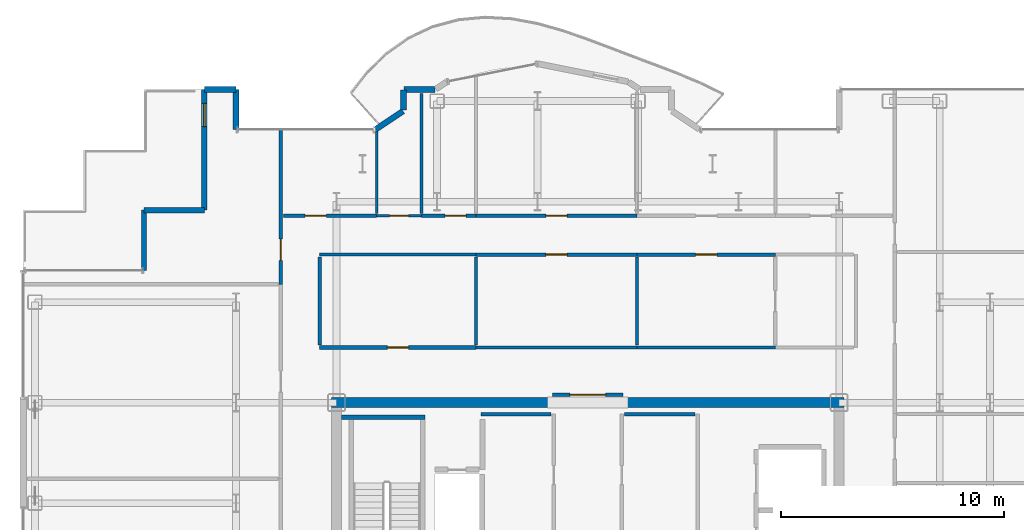
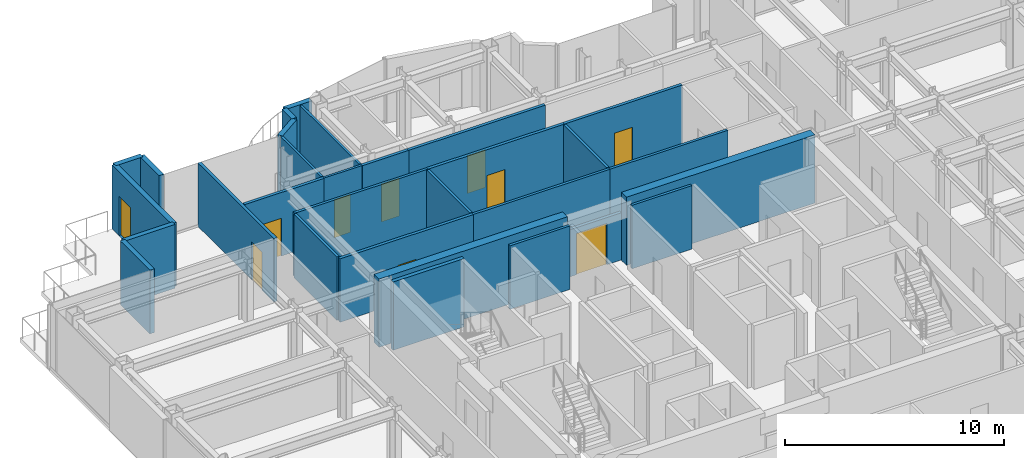
# One storey, part 19 of 22: 30 walls, 10 doors, 10 openings.
"""IFC4 building model written with IfcOpenShell, lengths in metres."""

from ifc_helpers import new_model, si_unit, direction, frame, frame_2d, origin, place, context, subcontext, project, spatial, rectangle, extrude, source, transform, mapped, material, layer, layer_set, type_object, element, fill, save


model = new_model("IFC4")

# Units and contexts
model_context = context("Model", 3, precision=1e-05, world=origin(), true_north=direction((0.0, 1.0)))
body_context = subcontext(model_context, "Body", "Model", "MODEL_VIEW")
ifc_project = project(units=[si_unit("LENGTHUNIT", "METRE"), si_unit("AREAUNIT", "SQUARE_METRE"), si_unit("VOLUMEUNIT", "CUBIC_METRE"), si_unit("PLANEANGLEUNIT", "RADIAN"), si_unit("MASSUNIT", "GRAM", prefix="KILO")], contexts=[model_context])

# Site, building, storey
site_placement = place(None, origin())
site = spatial("IfcSite", under=ifc_project, at=site_placement, CompositionType="ELEMENT")
building_placement = place(site_placement, origin())
building = spatial("IfcBuilding", under=site, at=building_placement, Name="Nefas-Gora Pilgrimage Tower", CompositionType="ELEMENT")
storey_placement = place(building_placement, frame((0.0, 0.0, 240.800048828125)))
storey = spatial("IfcBuildingStorey", under=building, at=storey_placement, Name="L60", CompositionType="ELEMENT", Elevation=240.800048828125)

# Walls
ifc_material_1 = material(Name="Concrete C50/60", Category="concrete")
ifc_layer_1 = layer(ifc_material_1, 0.449951171875)
ifc_layer_set_1 = layer_set([ifc_layer_1], Name="Concrete C50/60")
wall_type_1 = type_object("IfcWallType", Name="SW-CORE-450", PredefinedType="SHEAR", material=ifc_layer_set_1)
shared_shape_1 = source(origin(), body_context, "Body", "SweptSolid", [
    extrude(rectangle(XDim=9.925048828125, YDim=0.449951171875, at=frame_2d((4.96240234375, 0.0))), origin(), (0.0, 0.0, 1.0), 3.800048828125),
])
for number, where, z_axis, x_axis, name in (
    (1, (-11.47509765625, 9.0, 0.0), (0.0, 0.0, 1.0), (1.0, 0.0, 0.0), "L60 Core Shear Wall N-West"),
    (2, (1.550048828125, 9.0, 0.0), (0.0, 0.0, 1.0), (1.0, 0.0, 0.0), "L60 Core Shear Wall N-East"),
):
    element("IfcWall", number, at=place(storey_placement, frame(where, z_axis=z_axis, x_axis=x_axis)), inside=storey, type_object=wall_type_1, Name=name, PredefinedType="SHEAR", context=body_context, shape_type="MappedRepresentation", body=[
        mapped(shared_shape_1, transform((0.0, 0.0, 0.0), x_axis=(1.0, 0.0, 0.0), y_axis=(0.0, 1.0, 0.0), z_axis=(0.0, 0.0, 1.0), scale=1.0)),
    ])
ifc_material_2 = material(Name="Precast concrete C40/50", Category="concrete")
ifc_layer_2 = layer(ifc_material_2, 0.260009765625)
ifc_layer_set_2 = layer_set([ifc_layer_2], Name="Precast concrete C40/50")
wall_type_2 = type_object("IfcWallType", Name="EW-PORTAL-260", PredefinedType="SOLIDWALL", material=ifc_layer_set_2)
shared_shape_2 = source(origin(), body_context, "Body", "SweptSolid", [
    extrude(rectangle(XDim=1.800048828125, YDim=0.260009765625, at=frame_2d((0.89990234375, 0.0))), origin(), (0.0, 0.0, 1.0), 3.550048828125),
])
wall_1_placement = place(storey_placement, frame((-15.75, 21.219970703125, 0.0), z_axis=(0.0, 0.0, 1.0), x_axis=(0.0, 1.0, 0.0)))
element("IfcWall", 3, at=wall_1_placement, inside=storey, type_object=wall_type_2, Name="L60 Lobe Shoulder Precast Spandrel Pier 24", PredefinedType="SOLIDWALL", context=body_context, shape_type="MappedRepresentation", body=[
    mapped(shared_shape_2, transform((0.0, 0.0, 0.0), x_axis=(1.0, 0.0, 0.0), y_axis=(0.0, 1.0, 0.0), z_axis=(0.0, 0.0, 1.0), scale=1.0)),
])
shared_shape_3 = source(origin(), body_context, "Body", "SweptSolid", [
    extrude(rectangle(XDim=1.468994140625, YDim=0.260009765625, at=frame_2d((0.734375, 0.0))), origin(), (0.0, 0.0, 1.0), 3.550048828125),
])
wall_2_placement = place(storey_placement, frame((-8.273193359375, 22.0517578125, 0.0), z_axis=(0.0, 0.0, 1.0), x_axis=(-0.831461760506, -0.555581983884, 0.0)))
element("IfcWall", 4, at=wall_2_placement, inside=storey, type_object=wall_type_2, Name="L60 Lobe Shoulder Precast Spandrel Pier 23", PredefinedType="SOLIDWALL", context=body_context, shape_type="MappedRepresentation", body=[
    mapped(shared_shape_3, transform((0.0, 0.0, 0.0), x_axis=(1.0, 0.0, 0.0), y_axis=(0.0, 1.0, 0.0), z_axis=(0.0, 0.0, 1.0), scale=1.0)),
])
shared_shape_4 = source(origin(), body_context, "Body", "SweptSolid", [
    extrude(rectangle(XDim=0.896728515625, YDim=0.260009765625, at=frame_2d((0.4482421875, 0.0))), origin(), (0.0, 0.0, 1.0), 3.550048828125),
])
wall_3_placement = place(storey_placement, frame((-8.25, 22.991943359375, 0.0), z_axis=(0.0, 0.0, 1.0), x_axis=(0.0, -1.0, 0.0)))
element("IfcWall", 5, at=wall_3_placement, inside=storey, type_object=wall_type_2, Name="L60 Lobe Shoulder Precast Spandrel Pier 22", PredefinedType="SOLIDWALL", context=body_context, shape_type="MappedRepresentation", body=[
    mapped(shared_shape_4, transform((0.0, 0.0, 0.0), x_axis=(1.0, 0.0, 0.0), y_axis=(0.0, 1.0, 0.0), z_axis=(0.0, 0.0, 1.0), scale=1.0)),
])
shared_shape_5 = source(origin(), body_context, "Body", "SweptSolid", [
    extrude(rectangle(XDim=1.369873046875, YDim=0.260009765625, at=frame_2d((0.68505859375, 0.0))), origin(), (0.0, 0.0, 1.0), 3.550048828125),
])
wall_4_placement = place(storey_placement, frame((-6.85205078125, 23.02001953125, 0.0), z_axis=(0.0, 0.0, 1.0), x_axis=(-1.0, 0.0, 0.0)))
element("IfcWall", 6, at=wall_4_placement, inside=storey, type_object=wall_type_2, Name="L60 Lobe Shoulder Precast Spandrel Pier 21", PredefinedType="SOLIDWALL", context=body_context, shape_type="MappedRepresentation", body=[
    mapped(shared_shape_5, transform((0.0, 0.0, 0.0), x_axis=(1.0, 0.0, 0.0), y_axis=(0.0, 1.0, 0.0), z_axis=(0.0, 0.0, 1.0), scale=1.0)),
])

# Wall, opening, door
shared_shape_6 = source(origin(), body_context, "Body", "SweptSolid", [
    extrude(rectangle(XDim=5.39990234375, YDim=0.260009765625, at=frame_2d((2.699951171875, 0.0))), origin(), (0.0, 0.0, 1.0), 3.550048828125),
])
wall_5_placement = place(storey_placement, frame((-17.169921875, 23.02001953125, 0.0), z_axis=(0.0, 0.0, 1.0), x_axis=(0.0, -1.0, 0.0)))
wall_5 = element("IfcWall", 7, at=wall_5_placement, inside=storey, type_object=wall_type_2, Name="L60 Insulated Terrace Portal Wall 26", PredefinedType="SOLIDWALL", context=body_context, shape_type="MappedRepresentation", body=[
    mapped(shared_shape_6, transform((0.0, 0.0, 0.0), x_axis=(1.0, 0.0, 0.0), y_axis=(0.0, 1.0, 0.0), z_axis=(0.0, 0.0, 1.0), scale=1.0)),
])
opening_1_placement = place(wall_5_placement, frame((0.618896484375, 0.0, 0.0)))
opening_1 = element("IfcOpeningElement", 8, at=opening_1_placement, cuts=wall_5, Name="Opening ED-T1", PredefinedType="OPENING", context=body_context, shape_type="SweptSolid", body=[
    extrude(rectangle(XDim=1.050048828125, YDim=2.199951171875, at=frame_2d((0.52490234375, 1.10009765625))), frame((0.0, 0.139892578125, 0.0), z_axis=(0.0, -1.0, 0.0), x_axis=(1.0, 0.0, 0.0)), (0.0, 0.0, 1.0), 0.280029296875),
])
ifc_material_3 = material(Name="Thermally broken glazed aluminium terrace door", Category="aluminium")
door_type_1 = type_object("IfcDoorType", Name="DR-EXT-TER-1050", OperationType="NOTDEFINED", PredefinedType="DOOR", material=ifc_material_3)
shared_shape_7 = source(origin(), body_context, "Body", "SweptSolid", [
    extrude(rectangle(XDim=1.050048828125, YDim=2.199951171875, at=frame_2d((0.52490234375, 1.10009765625))), frame((0.0, 0.02490234375, 0.0), z_axis=(0.0, -1.0, 0.0), x_axis=(1.0, 0.0, 0.0)), (0.0, 0.0, 1.0), 0.050048828125),
])
door_1_placement = place(opening_1_placement, origin())
door_1 = element("IfcDoor", 9, at=door_1_placement, inside=storey, type_object=door_type_1, Name="L60 Exterior Door (L60 Outdoor Terrace TER-SP-NW)", OperationType="SINGLE_SWING_LEFT", OverallHeight=2.199951171875, OverallWidth=1.050048828125, PredefinedType="DOOR", context=body_context, shape_type="MappedRepresentation", body=[
    mapped(shared_shape_7, transform((0.0, 0.0, 0.0), x_axis=(1.0, 0.0, 0.0), y_axis=(0.0, 1.0, 0.0), z_axis=(0.0, 0.0, 1.0), scale=1.0)),
])
fill(opening_1, door_1)

# Walls
ifc_material_4 = material(Name="Precast concrete C45/55", Category="concrete")
ifc_layer_3 = layer(ifc_material_4, 0.239990234375)
ifc_layer_set_3 = layer_set([ifc_layer_3], Name="Precast concrete C45/55")
wall_type_3 = type_object("IfcWallType", Name="EW-SERR-240", PredefinedType="SHEAR", material=ifc_layer_set_3)
shared_shape_8 = source(origin(), body_context, "Body", "SweptSolid", [
    extrude(rectangle(XDim=2.7001953125, YDim=0.239990234375, at=frame_2d((1.35009765625, 0.0))), origin(), (0.0, 0.0, 1.0), 3.550048828125),
])
for number, where, z_axis, x_axis, name in (
    (10, (-17.169921875, 17.6201171875, 0.0), (0.0, 0.0, 1.0), (-1.0, 0.0, 0.0), "L60 Serrated Corner Shear Pier Wall 27"),
    (11, (-19.8701171875, 17.6201171875, 0.0), (0.0, 0.0, 1.0), (0.0, -1.0, 0.0), "L60 Serrated Corner Shear Pier Wall 28"),
):
    element("IfcWall", number, at=place(storey_placement, frame(where, z_axis=z_axis, x_axis=x_axis)), inside=storey, type_object=wall_type_3, Name=name, PredefinedType="SHEAR", context=body_context, shape_type="MappedRepresentation", body=[
        mapped(shared_shape_8, transform((0.0, 0.0, 0.0), x_axis=(1.0, 0.0, 0.0), y_axis=(0.0, 1.0, 0.0), z_axis=(0.0, 0.0, 1.0), scale=1.0)),
    ])
shared_shape_9 = source(origin(), body_context, "Body", "SweptSolid", [
    extrude(rectangle(XDim=1.419921875, YDim=0.260009765625, at=frame_2d((0.7099609375, 0.0))), origin(), (0.0, 0.0, 1.0), 3.550048828125),
])
wall_6_placement = place(storey_placement, frame((-15.75, 23.02001953125, 0.0), z_axis=(0.0, 0.0, 1.0), x_axis=(-1.0, 0.0, 0.0)))
element("IfcWall", 12, at=wall_6_placement, inside=storey, type_object=wall_type_2, Name="L60 Lobe Shoulder Precast Spandrel Pier 25", PredefinedType="SOLIDWALL", context=body_context, shape_type="MappedRepresentation", body=[
    mapped(shared_shape_9, transform((0.0, 0.0, 0.0), x_axis=(1.0, 0.0, 0.0), y_axis=(0.0, 1.0, 0.0), z_axis=(0.0, 0.0, 1.0), scale=1.0)),
])
ifc_material_5 = material(Name="Concrete C45/55", Category="concrete")
ifc_layer_4 = layer(ifc_material_5, 0.199951171875)
ifc_layer_set_4 = layer_set([ifc_layer_4], Name="Concrete C45/55")
wall_type_4 = type_object("IfcWallType", Name="IW-STAIR-200", PredefinedType="SOLIDWALL", material=ifc_layer_set_4)
shared_shape_10 = source(origin(), body_context, "Body", "SweptSolid", [
    extrude(rectangle(XDim=3.72998046875, YDim=0.199951171875, at=frame_2d((1.864990234375, 0.0))), origin(), (0.0, 0.0, 1.0), 3.800048828125),
])
wall_7_placement = place(storey_placement, frame((-7.300048828125, 8.35009765625, 0.0), z_axis=(0.0, 0.0, 1.0), x_axis=(-1.0, 0.0, 0.0)))
element("IfcWall", 13, at=wall_7_placement, inside=storey, type_object=wall_type_4, Name="L60 Stairwell Shear Wall ST-01-far", PredefinedType="SOLIDWALL", context=body_context, shape_type="MappedRepresentation", body=[
    mapped(shared_shape_10, transform((0.0, 0.0, 0.0), x_axis=(1.0, 0.0, 0.0), y_axis=(0.0, 1.0, 0.0), z_axis=(0.0, 0.0, 1.0), scale=1.0)),
])

# Wall, opening, door
ifc_material_6 = material(Name="Moisture-resistant fire-rated gypsum partition")
ifc_layer_5 = layer(ifc_material_6, 0.1201171875)
ifc_layer_set_5 = layer_set([ifc_layer_5], Name="Moisture-resistant fire-rated gypsum partition")
wall_type_5 = type_object("IfcWallType", Name="IW-WET-120", PredefinedType="PLUMBINGWALL", material=ifc_layer_set_5)
shared_shape_11 = source(origin(), body_context, "Body", "SweptSolid", [
    extrude(rectangle(XDim=2.02001953125, YDim=0.1201171875, at=frame_2d((1.010009765625, 0.0))), origin(), (0.0, 0.0, 1.0), 3.534912109375),
])
wall_8_placement = place(storey_placement, frame((-9.4599609375, 17.3701171875, 0.0), z_axis=(0.0, 0.0, 1.0), x_axis=(1.0, 0.0, 0.0)))
wall_8 = element("IfcWall", 14, at=wall_8_placement, inside=storey, type_object=wall_type_5, Name="L60 Accessible Unisex WC Partition Wall 25", PredefinedType="PLUMBINGWALL", context=body_context, shape_type="MappedRepresentation", body=[
    mapped(shared_shape_11, transform((0.0, 0.0, 0.0), x_axis=(1.0, 0.0, 0.0), y_axis=(0.0, 1.0, 0.0), z_axis=(0.0, 0.0, 1.0), scale=1.0)),
])
opening_2_placement = place(wall_8_placement, frame((0.5849609375, 0.0, 0.0)))
opening_2 = element("IfcOpeningElement", 15, at=opening_2_placement, cuts=wall_8, Name="Opening ID-BT1", PredefinedType="OPENING", context=body_context, shape_type="SweptSolid", body=[
    extrude(rectangle(XDim=0.85009765625, YDim=2.10009765625, at=frame_2d((0.425048828125, 1.050048828125))), frame((0.0, 0.070068359375, 0.0), z_axis=(0.0, -1.0, 0.0), x_axis=(1.0, 0.0, 0.0)), (0.0, 0.0, 1.0), 0.14013671875),
])
ifc_material_7 = material(Name="Moisture-resistant fire-rated timber door", Category="wood")
door_type_2 = type_object("IfcDoorType", Name="DR-INT-BATH-850", OperationType="NOTDEFINED", PredefinedType="DOOR", material=ifc_material_7)
shared_shape_12 = source(origin(), body_context, "Body", "SweptSolid", [
    extrude(rectangle(XDim=0.85009765625, YDim=2.10009765625, at=frame_2d((0.425048828125, 1.050048828125))), frame((0.0, 0.02490234375, 0.0), z_axis=(0.0, -1.0, 0.0), x_axis=(1.0, 0.0, 0.0)), (0.0, 0.0, 1.0), 0.050048828125),
])
door_2_placement = place(opening_2_placement, origin())
door_2 = element("IfcDoor", 16, at=door_2_placement, inside=storey, type_object=door_type_2, Name="L60 Accessible Unisex WC Door 10", OperationType="SINGLE_SWING_RIGHT", OverallHeight=2.10009765625, OverallWidth=0.85009765625, PredefinedType="DOOR", context=body_context, shape_type="MappedRepresentation", body=[
    mapped(shared_shape_12, transform((0.0, 0.0, 0.0), x_axis=(1.0, 0.0, 0.0), y_axis=(0.0, 1.0, 0.0), z_axis=(0.0, 0.0, 1.0), scale=1.0)),
])
fill(opening_2, door_2)

# Walls
ifc_material_8 = material(Name="Gypsum twin-stud partition")
ifc_layer_6 = layer(ifc_material_8, 0.139892578125)
ifc_layer_set_6 = layer_set([ifc_layer_6], Name="Gypsum twin-stud partition")
wall_type_6 = type_object("IfcWallType", Name="IW-UNIT-140", PredefinedType="PARTITIONING", material=ifc_layer_set_6)
shared_shape_13 = source(origin(), body_context, "Body", "SweptSolid", [
    extrude(rectangle(XDim=3.150146484375, YDim=0.139892578125, at=frame_2d((1.5751953125, 0.0))), origin(), (0.0, 0.0, 1.0), 3.534912109375),
])
for number, where, z_axis, x_axis, name in (
    (17, (-4.7900390625, 8.47998046875, 0.0), (0.0, 0.0, 1.0), (1.0, 0.0, 0.0), "L60 Housekeeping and Linen Store Partition Wall 19"),
    (18, (1.639892578125, 8.47998046875, 0.0), (0.0, 0.0, 1.0), (1.0, 0.0, 0.0), "L60 Freed Bank-1 Amenity Supply Store Partition Wall 24"),
):
    element("IfcWall", number, at=place(storey_placement, frame(where, z_axis=z_axis, x_axis=x_axis)), inside=storey, type_object=wall_type_6, Name=name, PredefinedType="PARTITIONING", context=body_context, shape_type="MappedRepresentation", body=[
        mapped(shared_shape_13, transform((0.0, 0.0, 0.0), x_axis=(1.0, 0.0, 0.0), y_axis=(0.0, 1.0, 0.0), z_axis=(0.0, 0.0, 1.0), scale=1.0)),
    ])

# Wall, opening, door
ifc_material_9 = material(Name="Gypsum acoustic stud partition")
ifc_layer_7 = layer(ifc_material_9, 0.159912109375)
ifc_layer_set_7 = layer_set([ifc_layer_7], Name="Gypsum acoustic stud partition")
wall_type_7 = type_object("IfcWallType", Name="IW-CORR-160", PredefinedType="PARTITIONING", material=ifc_layer_set_7)
shared_shape_14 = source(origin(), body_context, "Body", "SweptSolid", [
    extrude(rectangle(XDim=6.2099609375, YDim=0.159912109375, at=frame_2d((3.10498046875, 0.0))), origin(), (0.0, 0.0, 1.0), 3.534912109375),
])
wall_9_placement = place(storey_placement, frame((2.195068359375, 15.6298828125, 0.0), z_axis=(0.0, 0.0, 1.0), x_axis=(1.0, 0.0, 0.0)))
wall_9 = element("IfcWall", 19, at=wall_9_placement, inside=storey, type_object=wall_type_7, Name="L60 Pilgrim Contemplative Lounge Partition Wall 66", PredefinedType="PARTITIONING", context=body_context, shape_type="MappedRepresentation", body=[
    mapped(shared_shape_14, transform((0.0, 0.0, 0.0), x_axis=(1.0, 0.0, 0.0), y_axis=(0.0, 1.0, 0.0), z_axis=(0.0, 0.0, 1.0), scale=1.0)),
])
opening_3_placement = place(wall_9_placement, frame((2.6298828125, 0.0, 0.0)))
opening_3 = element("IfcOpeningElement", 20, at=opening_3_placement, cuts=wall_9, Name="Opening ID-GR1", PredefinedType="OPENING", context=body_context, shape_type="SweptSolid", body=[
    extrude(rectangle(XDim=0.949951171875, YDim=2.10009765625, at=frame_2d((0.47509765625, 1.050048828125))), frame((0.0, 0.08984375, 0.0), z_axis=(0.0, -1.0, 0.0), x_axis=(1.0, 0.0, 0.0)), (0.0, 0.0, 1.0), 0.179931640625),
])
ifc_material_10 = material(Name="Solid core oak fire-rated guest entrance door")
door_type_3 = type_object("IfcDoorType", Name="DR-INT-GUEST-950", OperationType="NOTDEFINED", PredefinedType="DOOR", material=ifc_material_10)
shared_shape_15 = source(origin(), body_context, "Body", "SweptSolid", [
    extrude(rectangle(XDim=0.949951171875, YDim=2.10009765625, at=frame_2d((0.47509765625, 1.050048828125))), frame((0.0, 0.02490234375, 0.0), z_axis=(0.0, -1.0, 0.0), x_axis=(1.0, 0.0, 0.0)), (0.0, 0.0, 1.0), 0.050048828125),
])
door_3_placement = place(opening_3_placement, origin())
door_3 = element("IfcDoor", 21, at=door_3_placement, inside=storey, type_object=door_type_3, Name="L60 Pilgrim Contemplative Lounge Door 30", OperationType="SINGLE_SWING_RIGHT", OverallHeight=2.10009765625, OverallWidth=0.949951171875, PredefinedType="DOOR", context=body_context, shape_type="MappedRepresentation", body=[
    mapped(shared_shape_15, transform((0.0, 0.0, 0.0), x_axis=(1.0, 0.0, 0.0), y_axis=(0.0, 1.0, 0.0), z_axis=(0.0, 0.0, 1.0), scale=1.0)),
])
fill(opening_3, door_3)

# Walls
shared_shape_16 = source(origin(), body_context, "Body", "SweptSolid", [
    extrude(rectangle(XDim=5.380126953125, YDim=0.1201171875, at=frame_2d((2.68994140625, 0.0))), origin(), (0.0, 0.0, 1.0), 3.534912109375),
])
wall_10_placement = place(storey_placement, frame((-7.449951171875, 17.469970703125, 0.0), z_axis=(0.0, 0.0, 1.0), x_axis=(0.0, 1.0, 0.0)))
element("IfcWall", 22, at=wall_10_placement, inside=storey, type_object=wall_type_5, Name="L60 Accessible Unisex WC Partition Wall 26", PredefinedType="PLUMBINGWALL", context=body_context, shape_type="MappedRepresentation", body=[
    mapped(shared_shape_16, transform((0.0, 0.0, 0.0), x_axis=(1.0, 0.0, 0.0), y_axis=(0.0, 1.0, 0.0), z_axis=(0.0, 0.0, 1.0), scale=1.0)),
])
shared_shape_17 = source(origin(), body_context, "Body", "SweptSolid", [
    extrude(rectangle(XDim=3.686767578125, YDim=0.1201171875, at=frame_2d((1.84326171875, 0.0))), origin(), (0.0, 0.0, 1.0), 3.534912109375),
])
wall_11_placement = place(storey_placement, frame((-9.449951171875, 17.469970703125, 0.0), z_axis=(0.0, 0.0, 1.0), x_axis=(0.0, 1.0, 0.0)))
element("IfcWall", 23, at=wall_11_placement, inside=storey, type_object=wall_type_5, Name="L60 Accessible Unisex WC Partition Wall 27", PredefinedType="PLUMBINGWALL", context=body_context, shape_type="MappedRepresentation", body=[
    mapped(shared_shape_17, transform((0.0, 0.0, 0.0), x_axis=(1.0, 0.0, 0.0), y_axis=(0.0, 1.0, 0.0), z_axis=(0.0, 0.0, 1.0), scale=1.0)),
])

# Wall, opening, door
shared_shape_18 = source(origin(), body_context, "Body", "SweptSolid", [
    extrude(rectangle(XDim=7.014892578125, YDim=0.159912109375, at=frame_2d((3.50732421875, 0.0))), origin(), (0.0, 0.0, 1.0), 3.534912109375),
])
wall_12_placement = place(storey_placement, frame((-12.010009765625, 11.469970703125, 0.0), z_axis=(0.0, 0.0, 1.0), x_axis=(1.0, 0.0, 0.0)))
wall_12 = element("IfcWall", 24, at=wall_12_placement, inside=storey, type_object=wall_type_7, Name="L60 Pilgrim Contemplative Lounge Partition Wall 52", PredefinedType="PARTITIONING", context=body_context, shape_type="MappedRepresentation", body=[
    mapped(shared_shape_18, transform((0.0, 0.0, 0.0), x_axis=(1.0, 0.0, 0.0), y_axis=(0.0, 1.0, 0.0), z_axis=(0.0, 0.0, 1.0), scale=1.0)),
])
opening_4_placement = place(wall_12_placement, frame((3.032470703125, 0.0, 0.0)))
opening_4 = element("IfcOpeningElement", 25, at=opening_4_placement, cuts=wall_12, Name="Opening ID-GR1", PredefinedType="OPENING", context=body_context, shape_type="SweptSolid", body=[
    extrude(rectangle(XDim=0.949951171875, YDim=2.10009765625, at=frame_2d((0.47509765625, 1.050048828125))), frame((0.0, 0.08984375, 0.0), z_axis=(0.0, -1.0, 0.0), x_axis=(1.0, 0.0, 0.0)), (0.0, 0.0, 1.0), 0.179931640625),
])
door_4_placement = place(opening_4_placement, origin())
door_4 = element("IfcDoor", 26, at=door_4_placement, inside=storey, type_object=door_type_3, Name="L60 Pilgrim Contemplative Lounge Door 24", OperationType="SINGLE_SWING_RIGHT", OverallHeight=2.10009765625, OverallWidth=0.949951171875, PredefinedType="DOOR", context=body_context, shape_type="MappedRepresentation", body=[
    mapped(shared_shape_15, transform((0.0, 0.0, 0.0), x_axis=(1.0, 0.0, 0.0), y_axis=(0.0, 1.0, 0.0), z_axis=(0.0, 0.0, 1.0), scale=1.0)),
])
fill(opening_4, door_4)

# Walls
shared_shape_19 = source(origin(), body_context, "Body", "SweptSolid", [
    extrude(rectangle(XDim=7.014892578125, YDim=0.139892578125, at=frame_2d((3.50732421875, 0.0))), origin(), (0.0, 0.0, 1.0), 3.534912109375),
])
wall_13_placement = place(storey_placement, frame((-12.010009765625, 15.6298828125, 0.0), z_axis=(0.0, 0.0, 1.0), x_axis=(1.0, 0.0, 0.0)))
element("IfcWall", 27, at=wall_13_placement, inside=storey, type_object=wall_type_6, Name="L60 Pilgrim Contemplative Lounge Partition Wall 53", PredefinedType="PARTITIONING", context=body_context, shape_type="MappedRepresentation", body=[
    mapped(shared_shape_19, transform((0.0, 0.0, 0.0), x_axis=(1.0, 0.0, 0.0), y_axis=(0.0, 1.0, 0.0), z_axis=(0.0, 0.0, 1.0), scale=1.0)),
])
shared_shape_20 = source(origin(), body_context, "Body", "SweptSolid", [
    extrude(rectangle(XDim=3.929931640625, YDim=0.139892578125, at=frame_2d((1.96484375, 0.0))), origin(), (0.0, 0.0, 1.0), 3.534912109375),
])
for number, where, z_axis, x_axis, name in (
    (28, (-12.0, 11.590087890625, 0.0), (0.0, 0.0, 1.0), (0.0, 1.0, 0.0), "L60 Pilgrim Contemplative Lounge Partition Wall 54"),
    (29, (-5.0048828125, 11.590087890625, 0.0), (0.0, 0.0, 1.0), (0.0, 1.0, 0.0), "L60 Pilgrim Contemplative Lounge Partition Wall 55"),
    (30, (2.195068359375, 11.580078125, 0.0), (0.0, 0.0, 1.0), (0.0, 1.0, 0.0), "L60 Pilgrim Contemplative Lounge Partition Wall 63"),
):
    element("IfcWall", number, at=place(storey_placement, frame(where, z_axis=z_axis, x_axis=x_axis)), inside=storey, type_object=wall_type_6, Name=name, PredefinedType="PARTITIONING", context=body_context, shape_type="MappedRepresentation", body=[
        mapped(shared_shape_20, transform((0.0, 0.0, 0.0), x_axis=(1.0, 0.0, 0.0), y_axis=(0.0, 1.0, 0.0), z_axis=(0.0, 0.0, 1.0), scale=1.0)),
    ])

# Wall, opening, door
shared_shape_21 = source(origin(), body_context, "Body", "SweptSolid", [
    extrude(rectangle(XDim=2.44482421875, YDim=0.159912109375, at=frame_2d((1.222412109375, 0.0))), origin(), (0.0, 0.0, 1.0), 3.534912109375),
])
wall_14_placement = place(storey_placement, frame((-7.43994140625, 17.3701171875, 0.0), z_axis=(0.0, 0.0, 1.0), x_axis=(1.0, 0.0, 0.0)))
wall_14 = element("IfcWall", 31, at=wall_14_placement, inside=storey, type_object=wall_type_7, Name="L60 Pilgrim Contemplative Lounge Partition Wall 56", PredefinedType="PARTITIONING", context=body_context, shape_type="MappedRepresentation", body=[
    mapped(shared_shape_21, transform((0.0, 0.0, 0.0), x_axis=(1.0, 0.0, 0.0), y_axis=(0.0, 1.0, 0.0), z_axis=(0.0, 0.0, 1.0), scale=1.0)),
])
opening_5_placement = place(wall_14_placement, frame((1.046630859375, 0.0, 0.0)))
opening_5 = element("IfcOpeningElement", 32, at=opening_5_placement, cuts=wall_14, Name="Opening ID-GR1", PredefinedType="OPENING", context=body_context, shape_type="SweptSolid", body=[
    extrude(rectangle(XDim=0.949951171875, YDim=2.10009765625, at=frame_2d((0.47509765625, 1.050048828125))), frame((0.0, 0.08984375, 0.0), z_axis=(0.0, -1.0, 0.0), x_axis=(1.0, 0.0, 0.0)), (0.0, 0.0, 1.0), 0.179931640625),
])
door_5_placement = place(opening_5_placement, origin())
door_5 = element("IfcDoor", 33, at=door_5_placement, inside=storey, type_object=door_type_3, Name="L60 Pilgrim Contemplative Lounge Door 25", OperationType="SINGLE_SWING_LEFT", OverallHeight=2.10009765625, OverallWidth=0.949951171875, PredefinedType="DOOR", context=body_context, shape_type="MappedRepresentation", body=[
    mapped(shared_shape_15, transform((0.0, 0.0, 0.0), x_axis=(1.0, 0.0, 0.0), y_axis=(0.0, 1.0, 0.0), z_axis=(0.0, 0.0, 1.0), scale=1.0)),
])
fill(opening_5, door_5)

shared_shape_22 = source(origin(), body_context, "Body", "SweptSolid", [
    extrude(rectangle(XDim=4.16015625, YDim=0.159912109375, at=frame_2d((2.080078125, 0.0))), origin(), (0.0, 0.0, 1.0), 3.534912109375),
])
wall_15_placement = place(storey_placement, frame((-13.6201171875, 17.3701171875, 0.0), z_axis=(0.0, 0.0, 1.0), x_axis=(1.0, 0.0, 0.0)))
wall_15 = element("IfcWall", 34, at=wall_15_placement, inside=storey, type_object=wall_type_7, Name="L60 Pilgrim Contemplative Lounge Partition Wall 58", PredefinedType="PARTITIONING", context=body_context, shape_type="MappedRepresentation", body=[
    mapped(shared_shape_22, transform((0.0, 0.0, 0.0), x_axis=(1.0, 0.0, 0.0), y_axis=(0.0, 1.0, 0.0), z_axis=(0.0, 0.0, 1.0), scale=1.0)),
])
opening_6_placement = place(wall_15_placement, frame((0.968994140625, 0.0, 0.0)))
opening_6 = element("IfcOpeningElement", 35, at=opening_6_placement, cuts=wall_15, Name="Opening ID-GR1", PredefinedType="OPENING", context=body_context, shape_type="SweptSolid", body=[
    extrude(rectangle(XDim=0.949951171875, YDim=2.10009765625, at=frame_2d((0.47509765625, 1.050048828125))), frame((0.0, 0.08984375, 0.0), z_axis=(0.0, -1.0, 0.0), x_axis=(1.0, 0.0, 0.0)), (0.0, 0.0, 1.0), 0.179931640625),
])
door_6_placement = place(opening_6_placement, origin())
door_6 = element("IfcDoor", 36, at=door_6_placement, inside=storey, type_object=door_type_3, Name="L60 Pilgrim Contemplative Lounge Door 26", OperationType="SINGLE_SWING_RIGHT", OverallHeight=2.10009765625, OverallWidth=0.949951171875, PredefinedType="DOOR", context=body_context, shape_type="MappedRepresentation", body=[
    mapped(shared_shape_15, transform((0.0, 0.0, 0.0), x_axis=(1.0, 0.0, 0.0), y_axis=(0.0, 1.0, 0.0), z_axis=(0.0, 0.0, 1.0), scale=1.0)),
])
fill(opening_6, door_6)

shared_shape_23 = source(origin(), body_context, "Body", "SweptSolid", [
    extrude(rectangle(XDim=7.2099609375, YDim=0.159912109375, at=frame_2d((3.60498046875, 0.0))), origin(), (0.0, 0.0, 1.0), 3.534912109375),
])
wall_16_placement = place(storey_placement, frame((-5.0048828125, 17.3701171875, 0.0), z_axis=(0.0, 0.0, 1.0), x_axis=(1.0, 0.0, 0.0)))
wall_16 = element("IfcWall", 37, at=wall_16_placement, inside=storey, type_object=wall_type_7, Name="L60 Pilgrim Contemplative Lounge Partition Wall 59", PredefinedType="PARTITIONING", context=body_context, shape_type="MappedRepresentation", body=[
    mapped(shared_shape_23, transform((0.0, 0.0, 0.0), x_axis=(1.0, 0.0, 0.0), y_axis=(0.0, 1.0, 0.0), z_axis=(0.0, 0.0, 1.0), scale=1.0)),
])
opening_7_placement = place(wall_16_placement, frame((3.1298828125, 0.0, 0.0)))
opening_7 = element("IfcOpeningElement", 38, at=opening_7_placement, cuts=wall_16, Name="Opening ID-GR1", PredefinedType="OPENING", context=body_context, shape_type="SweptSolid", body=[
    extrude(rectangle(XDim=0.949951171875, YDim=2.10009765625, at=frame_2d((0.47509765625, 1.050048828125))), frame((0.0, 0.08984375, 0.0), z_axis=(0.0, -1.0, 0.0), x_axis=(1.0, 0.0, 0.0)), (0.0, 0.0, 1.0), 0.179931640625),
])
door_7_placement = place(opening_7_placement, origin())
door_7 = element("IfcDoor", 39, at=door_7_placement, inside=storey, type_object=door_type_3, Name="L60 Pilgrim Contemplative Lounge Door 27", OperationType="SINGLE_SWING_LEFT", OverallHeight=2.10009765625, OverallWidth=0.949951171875, PredefinedType="DOOR", context=body_context, shape_type="MappedRepresentation", body=[
    mapped(shared_shape_15, transform((0.0, 0.0, 0.0), x_axis=(1.0, 0.0, 0.0), y_axis=(0.0, 1.0, 0.0), z_axis=(0.0, 0.0, 1.0), scale=1.0)),
])
fill(opening_7, door_7)

wall_17_placement = place(storey_placement, frame((-5.0048828125, 15.6298828125, 0.0), z_axis=(0.0, 0.0, 1.0), x_axis=(1.0, 0.0, 0.0)))
wall_17 = element("IfcWall", 40, at=wall_17_placement, inside=storey, type_object=wall_type_7, Name="L60 Pilgrim Contemplative Lounge Partition Wall 61", PredefinedType="PARTITIONING", context=body_context, shape_type="MappedRepresentation", body=[
    mapped(shared_shape_23, transform((0.0, 0.0, 0.0), x_axis=(1.0, 0.0, 0.0), y_axis=(0.0, 1.0, 0.0), z_axis=(0.0, 0.0, 1.0), scale=1.0)),
])
opening_8_placement = place(wall_17_placement, frame((3.1298828125, 0.0, 0.0)))
opening_8 = element("IfcOpeningElement", 41, at=opening_8_placement, cuts=wall_17, Name="Opening ID-GR1", PredefinedType="OPENING", context=body_context, shape_type="SweptSolid", body=[
    extrude(rectangle(XDim=0.949951171875, YDim=2.10009765625, at=frame_2d((0.47509765625, 1.050048828125))), frame((0.0, 0.08984375, 0.0), z_axis=(0.0, -1.0, 0.0), x_axis=(1.0, 0.0, 0.0)), (0.0, 0.0, 1.0), 0.179931640625),
])
door_8_placement = place(opening_8_placement, origin())
door_8 = element("IfcDoor", 42, at=door_8_placement, inside=storey, type_object=door_type_3, Name="L60 Pilgrim Contemplative Lounge Door 28", OperationType="SINGLE_SWING_RIGHT", OverallHeight=2.10009765625, OverallWidth=0.949951171875, PredefinedType="DOOR", context=body_context, shape_type="MappedRepresentation", body=[
    mapped(shared_shape_15, transform((0.0, 0.0, 0.0), x_axis=(1.0, 0.0, 0.0), y_axis=(0.0, 1.0, 0.0), z_axis=(0.0, 0.0, 1.0), scale=1.0)),
])
fill(opening_8, door_8)

# Wall
shared_shape_24 = source(origin(), body_context, "Body", "SweptSolid", [
    extrude(rectangle(XDim=7.2099609375, YDim=0.139892578125, at=frame_2d((3.60498046875, 0.0))), origin(), (0.0, 0.0, 1.0), 3.534912109375),
])
wall_18_placement = place(storey_placement, frame((-5.0048828125, 11.469970703125, 0.0), z_axis=(0.0, 0.0, 1.0), x_axis=(1.0, 0.0, 0.0)))
element("IfcWall", 43, at=wall_18_placement, inside=storey, type_object=wall_type_6, Name="L60 Pilgrim Contemplative Lounge Partition Wall 62", PredefinedType="PARTITIONING", context=body_context, shape_type="MappedRepresentation", body=[
    mapped(shared_shape_24, transform((0.0, 0.0, 0.0), x_axis=(1.0, 0.0, 0.0), y_axis=(0.0, 1.0, 0.0), z_axis=(0.0, 0.0, 1.0), scale=1.0)),
])

# Wall, opening, door
shared_shape_25 = source(origin(), body_context, "Body", "SweptSolid", [
    extrude(rectangle(XDim=3.16015625, YDim=0.159912109375, at=frame_2d((1.580078125, 0.0))), origin(), (0.0, 0.0, 1.0), 2.625),
])
wall_19_placement = place(storey_placement, frame((-1.580078125, 9.35009765625, 0.0), z_axis=(0.0, 0.0, 1.0), x_axis=(1.0, 0.0, 0.0)))
wall_19 = element("IfcWall", 44, at=wall_19_placement, inside=storey, type_object=wall_type_7, Name="L60 Central Lift Lobby North Portal Wall 15", PredefinedType="PARTITIONING", context=body_context, shape_type="MappedRepresentation", body=[
    mapped(shared_shape_25, transform((0.0, 0.0, 0.0), x_axis=(1.0, 0.0, 0.0), y_axis=(0.0, 1.0, 0.0), z_axis=(0.0, 0.0, 1.0), scale=1.0)),
])
opening_9_placement = place(wall_19_placement, frame((0.780029296875, 0.0, 0.0)))
opening_9 = element("IfcOpeningElement", 45, at=opening_9_placement, cuts=wall_19, Name="Opening ID-HL1", PredefinedType="OPENING", context=body_context, shape_type="SweptSolid", body=[
    extrude(rectangle(XDim=1.60009765625, YDim=2.300048828125, at=frame_2d((0.800048828125, 1.14990234375))), frame((0.0, 0.08984375, 0.0), z_axis=(0.0, -1.0, 0.0), x_axis=(1.0, 0.0, 0.0)), (0.0, 0.0, 1.0), 0.179931640625),
])
ifc_material_11 = material(Name="Double acoustic timber assembly hall door", Category="wood")
door_type_4 = type_object("IfcDoorType", Name="DR-INT-HALL-1600", OperationType="DOUBLE_DOOR_SINGLE_SWING", PredefinedType="DOOR", material=ifc_material_11)
shared_shape_26 = source(origin(), body_context, "Body", "SweptSolid", [
    extrude(rectangle(XDim=1.60009765625, YDim=2.300048828125, at=frame_2d((0.800048828125, 1.14990234375))), frame((0.0, 0.02490234375, 0.0), z_axis=(0.0, -1.0, 0.0), x_axis=(1.0, 0.0, 0.0)), (0.0, 0.0, 1.0), 0.050048828125),
])
door_9_placement = place(opening_9_placement, origin())
door_9 = element("IfcDoor", 46, at=door_9_placement, inside=storey, type_object=door_type_4, Name="L60 Central Lift Lobby North Portal Door 5", OperationType="DOUBLE_DOOR_SINGLE_SWING", OverallHeight=2.300048828125, OverallWidth=1.60009765625, PredefinedType="DOOR", context=body_context, shape_type="MappedRepresentation", body=[
    mapped(shared_shape_26, transform((0.0, 0.0, 0.0), x_axis=(1.0, 0.0, 0.0), y_axis=(0.0, 1.0, 0.0), z_axis=(0.0, 0.0, 1.0), scale=1.0)),
])
fill(opening_9, door_9)

# Wall
shared_shape_27 = source(origin(), body_context, "Body", "SweptSolid", [
    extrude(rectangle(XDim=6.2099609375, YDim=0.139892578125, at=frame_2d((3.10498046875, 0.0))), origin(), (0.0, 0.0, 1.0), 3.534912109375),
])
wall_20_placement = place(storey_placement, frame((2.195068359375, 11.469970703125, 0.0), z_axis=(0.0, 0.0, 1.0), x_axis=(1.0, 0.0, 0.0)))
element("IfcWall", 47, at=wall_20_placement, inside=storey, type_object=wall_type_6, Name="L60 Pilgrim Contemplative Lounge Partition Wall 67", PredefinedType="PARTITIONING", context=body_context, shape_type="MappedRepresentation", body=[
    mapped(shared_shape_27, transform((0.0, 0.0, 0.0), x_axis=(1.0, 0.0, 0.0), y_axis=(0.0, 1.0, 0.0), z_axis=(0.0, 0.0, 1.0), scale=1.0)),
])

# Wall, opening, door
shared_shape_28 = source(origin(), body_context, "Body", "SweptSolid", [
    extrude(rectangle(XDim=6.952392578125, YDim=0.159912109375, at=frame_2d((3.47607421875, 0.0))), origin(), (0.0, 0.0, 1.0), 3.534912109375),
])
wall_21_placement = place(storey_placement, frame((-13.739990234375, 14.28759765625, 0.0), z_axis=(0.0, 0.0, 1.0), x_axis=(0.0, 1.0, 0.0)))
wall_21 = element("IfcWall", 48, at=wall_21_placement, inside=storey, type_object=wall_type_7, Name="L60 Pastoral Chaplains Counselling Office Partition Wall 34", PredefinedType="PARTITIONING", context=body_context, shape_type="MappedRepresentation", body=[
    mapped(shared_shape_28, transform((0.0, 0.0, 0.0), x_axis=(1.0, 0.0, 0.0), y_axis=(0.0, 1.0, 0.0), z_axis=(0.0, 0.0, 1.0), scale=1.0)),
])
opening_10_placement = place(wall_21_placement, frame((1.086181640625, 0.0, 0.0)))
opening_10 = element("IfcOpeningElement", 49, at=opening_10_placement, cuts=wall_21, Name="Opening ID-GR1", PredefinedType="OPENING", context=body_context, shape_type="SweptSolid", body=[
    extrude(rectangle(XDim=0.949951171875, YDim=2.10009765625, at=frame_2d((0.47509765625, 1.050048828125))), frame((0.0, 0.08984375, 0.0), z_axis=(0.0, -1.0, 0.0), x_axis=(1.0, 0.0, 0.0)), (0.0, 0.0, 1.0), 0.179931640625),
])
door_10_placement = place(opening_10_placement, origin())
door_10 = element("IfcDoor", 50, at=door_10_placement, inside=storey, type_object=door_type_3, Name="L60 Pastoral Chaplains Counselling Office Door 14", OperationType="SINGLE_SWING_RIGHT", OverallHeight=2.10009765625, OverallWidth=0.949951171875, PredefinedType="DOOR", context=body_context, shape_type="MappedRepresentation", body=[
    mapped(shared_shape_15, transform((0.0, 0.0, 0.0), x_axis=(1.0, 0.0, 0.0), y_axis=(0.0, 1.0, 0.0), z_axis=(0.0, 0.0, 1.0), scale=1.0)),
])
fill(opening_10, door_10)

save(model, "model.ifc")
